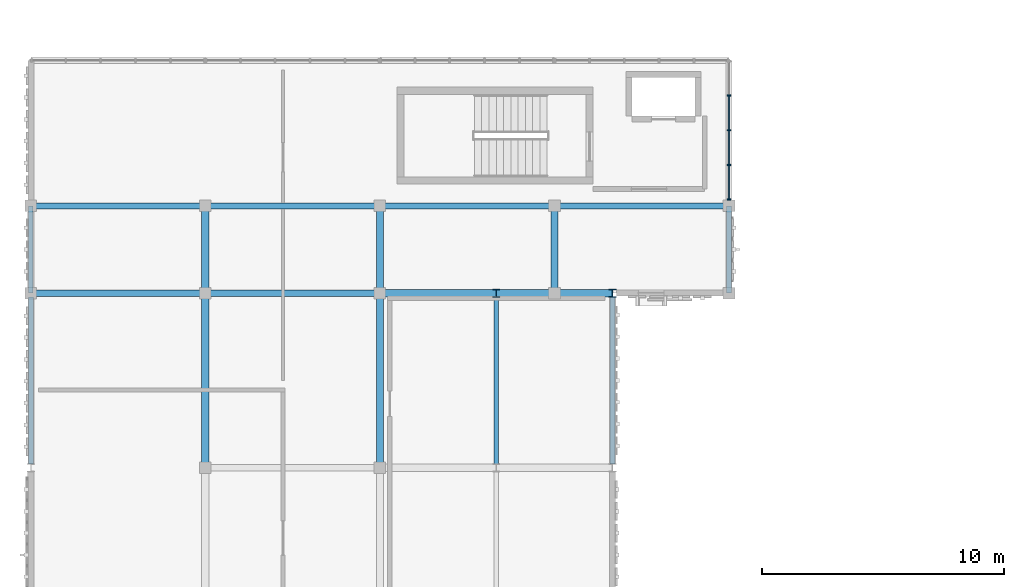
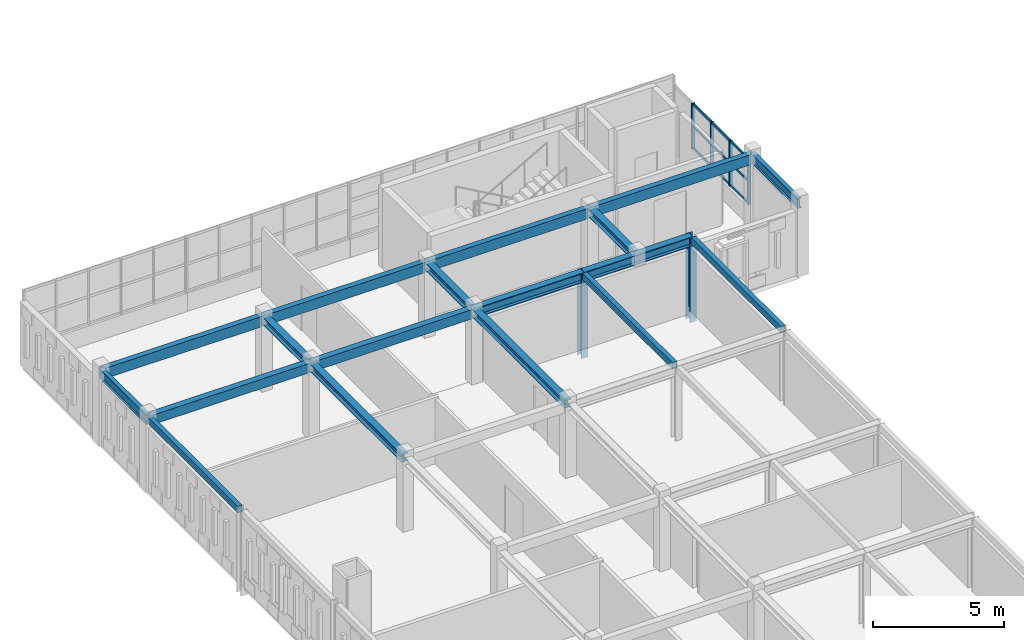
# One storey, part 6 of 53: 17 beams, 15 members, 1 element without a shape of its own.
"""IFC4 building model written with IfcOpenShell, lengths in metres."""

from ifc_helpers import new_model, si_unit, direction, frame, origin, origin_2d, place, context, subcontext, project, spatial, rectangle, hollow_rectangle, i_section, extrude, material, material_profile, profile_set, type_object, element, aggregate, save


model = new_model("IFC4")

# Units and contexts
model_context = context("Model", 3, precision=1e-05, world=origin(), true_north=direction((0.0, 1.0)))
body_context = subcontext(model_context, "Body", "Model", "MODEL_VIEW")
ifc_project = project(units=[si_unit("LENGTHUNIT", "METRE"), si_unit("AREAUNIT", "SQUARE_METRE"), si_unit("VOLUMEUNIT", "CUBIC_METRE"), si_unit("PLANEANGLEUNIT", "RADIAN"), si_unit("MASSUNIT", "GRAM", prefix="KILO")], contexts=[model_context])

# Site, building, storey
site_placement = place(None, origin())
site = spatial("IfcSite", under=ifc_project, at=site_placement, CompositionType="ELEMENT")
building_placement = place(site_placement, origin())
building = spatial("IfcBuilding", under=site, at=building_placement, Name="Nzembalo Square Collegiate School", CompositionType="ELEMENT")
storey_placement = place(building_placement, frame((0.0, 0.0, 13.60009765625)))
storey = spatial("IfcBuildingStorey", under=building, at=storey_placement, Name="L03", CompositionType="ELEMENT", Elevation=13.60009765625)

# Beams
ifc_material_1 = material(Name="Steel S355", Category="steel")
ifc_material_profile_1 = material_profile(ifc_material_1, i_section(OverallWidth=0.300048828125, OverallDepth=0.449951171875, WebThickness=0.013916015625, FlangeThickness=0.02587890625, at=origin_2d()), Name="HEB 450")
ifc_profile_set_1 = profile_set([ifc_material_profile_1], Name="Steel S355")
beam_type_1 = type_object("IfcBeamType", Name="B08", PredefinedType="BEAM", material=ifc_profile_set_1)
beam_1_placement = place(storey_placement, frame((22.800048828125, 79.199951171875, 3.22998046875), z_axis=(1.0, 0.0, 0.0), x_axis=(0.0, 1.0, 0.0)))
element("IfcBeam", 1, at=beam_1_placement, inside=storey, type_object=beam_type_1, Name="Cantilever girder B08 4A L03", PredefinedType="BEAM", context=body_context, shape_type="SweptSolid", body=[
    extrude(i_section(OverallWidth=0.300048828125, OverallDepth=0.449951171875, WebThickness=0.013916015625, FlangeThickness=0.02587890625, at=origin_2d()), origin(), (0.0, 0.0, 1.0), 9.599853515625),
])
ifc_material_2 = material(Name="Steel S355", Category="steel")
ifc_material_profile_2 = material_profile(ifc_material_2, i_section(OverallWidth=0.18994140625, OverallDepth=0.449951171875, WebThickness=0.009521484375, FlangeThickness=0.0146484375, at=origin_2d()), Name="IPE 450")
ifc_profile_set_2 = profile_set([ifc_material_profile_2], Name="Steel S355")
beam_type_2 = type_object("IfcBeamType", Name="B09", PredefinedType="BEAM", material=ifc_profile_set_2)
for number, where, z_axis, x_axis, name in (
    (2, (8.39990234375, 79.199951171875, 3.22998046875), (0.0, 1.0, 0.0), (-1.0, 0.0, 0.0), "Beam B09 L03"),
    (3, (37.199951171875, 79.199951171875, 3.22998046875), (0.0, 1.0, 0.0), (-1.0, 0.0, 0.0), "Beam B09 L03"),
):
    element("IfcBeam", number, at=place(storey_placement, frame(where, z_axis=z_axis, x_axis=x_axis)), inside=storey, type_object=beam_type_2, Name=name, PredefinedType="BEAM", context=body_context, shape_type="SweptSolid", body=[
        extrude(i_section(OverallWidth=0.18994140625, OverallDepth=0.449951171875, WebThickness=0.009521484375, FlangeThickness=0.0146484375, at=origin_2d()), origin(), (0.0, 0.0, 1.0), 3.60009765625),
    ])
ifc_material_3 = material(Name="Steel S355", Category="steel")
ifc_material_profile_3 = material_profile(ifc_material_3, i_section(OverallWidth=0.300048828125, OverallDepth=0.35009765625, WebThickness=0.010009765625, FlangeThickness=0.017578125, at=origin_2d()), Name="HEA 360")
ifc_profile_set_3 = profile_set([ifc_material_profile_3], Name="Steel S355")
beam_type_3 = type_object("IfcBeamType", Name="B12", PredefinedType="BEAM", material=ifc_profile_set_3)
beam_2_placement = place(storey_placement, frame((15.60009765625, 72.0, 3.27978515625), z_axis=(0.0, 1.0, 0.0), x_axis=(-1.0, 0.0, 0.0)))
element("IfcBeam", 4, at=beam_2_placement, inside=storey, type_object=beam_type_3, Name="Beam B12 L03", PredefinedType="BEAM", context=body_context, shape_type="SweptSolid", body=[
    extrude(i_section(OverallWidth=0.300048828125, OverallDepth=0.35009765625, WebThickness=0.010009765625, FlangeThickness=0.017578125, at=origin_2d()), origin(), (0.0, 0.0, 1.0), 7.199951171875),
])
beam_3_placement = place(storey_placement, frame((15.60009765625, 79.199951171875, 3.27978515625), z_axis=(0.0, 1.0, 0.0), x_axis=(-1.0, 0.0, 0.0)))
element("IfcBeam", 5, at=beam_3_placement, inside=storey, type_object=beam_type_3, Name="Beam B12 L03", PredefinedType="BEAM", context=body_context, shape_type="SweptSolid", body=[
    extrude(i_section(OverallWidth=0.300048828125, OverallDepth=0.35009765625, WebThickness=0.010009765625, FlangeThickness=0.017578125, at=origin_2d()), origin(), (0.0, 0.0, 1.0), 3.60009765625),
])
beam_4_placement = place(storey_placement, frame((22.800048828125, 72.0, 3.27978515625), z_axis=(0.0, 1.0, 0.0), x_axis=(-1.0, 0.0, 0.0)))
element("IfcBeam", 6, at=beam_4_placement, inside=storey, type_object=beam_type_3, Name="Beam B12 L03", PredefinedType="BEAM", context=body_context, shape_type="SweptSolid", body=[
    extrude(i_section(OverallWidth=0.300048828125, OverallDepth=0.35009765625, WebThickness=0.010009765625, FlangeThickness=0.017578125, at=origin_2d()), origin(), (0.0, 0.0, 1.0), 7.199951171875),
])
for number, where, z_axis, x_axis, name in (
    (7, (22.800048828125, 79.199951171875, 3.27978515625), (0.0, 1.0, 0.0), (-1.0, 0.0, 0.0), "Beam B12 L03"),
    (8, (30.0, 79.199951171875, 3.27978515625), (0.0, 1.0, 0.0), (-1.0, 0.0, 0.0), "Beam B12 L03"),
):
    element("IfcBeam", number, at=place(storey_placement, frame(where, z_axis=z_axis, x_axis=x_axis)), inside=storey, type_object=beam_type_3, Name=name, PredefinedType="BEAM", context=body_context, shape_type="SweptSolid", body=[
        extrude(i_section(OverallWidth=0.300048828125, OverallDepth=0.35009765625, WebThickness=0.010009765625, FlangeThickness=0.017578125, at=origin_2d()), origin(), (0.0, 0.0, 1.0), 3.60009765625),
    ])
ifc_material_4 = material(Name="Glulam GL32h", Category="wood")
ifc_material_profile_4 = material_profile(ifc_material_4, rectangle(XDim=0.280029296875, YDim=0.43994140625, at=origin_2d()), Name="GL32h 280x440")
ifc_profile_set_4 = profile_set([ifc_material_profile_4], Name="Glulam GL32h")
beam_type_4 = type_object("IfcBeamType", Name="B14", PredefinedType="BEAM", material=ifc_profile_set_4)
beam_5_placement = place(storey_placement, frame((8.39990234375, 79.199951171875, 3.23486328125), z_axis=(1.0, 0.0, 0.0), x_axis=(0.0, 1.0, 0.0)))
element("IfcBeam", 9, at=beam_5_placement, inside=storey, type_object=beam_type_4, Name="Beam B14 L03", PredefinedType="BEAM", context=body_context, shape_type="SweptSolid", body=[
    extrude(rectangle(XDim=0.280029296875, YDim=0.43994140625, at=origin_2d()), origin(), (0.0, 0.0, 1.0), 7.2001953125),
])
beam_6_placement = place(storey_placement, frame((15.60009765625, 79.199951171875, 3.23486328125), z_axis=(1.0, 0.0, 0.0), x_axis=(0.0, 1.0, 0.0)))
element("IfcBeam", 10, at=beam_6_placement, inside=storey, type_object=beam_type_4, Name="Beam B14 L03", PredefinedType="BEAM", context=body_context, shape_type="SweptSolid", body=[
    extrude(rectangle(XDim=0.280029296875, YDim=0.43994140625, at=origin_2d()), origin(), (0.0, 0.0, 1.0), 7.199951171875),
])
ifc_material_5 = material(Name="Glulam GL28h", Category="wood")
ifc_material_profile_5 = material_profile(ifc_material_5, rectangle(XDim=0.239990234375, YDim=0.47998046875, at=origin_2d()), Name="GL28h 240x480")
ifc_profile_set_5 = profile_set([ifc_material_profile_5], Name="Glulam GL28h")
beam_type_5 = type_object("IfcBeamType", Name="SP02", PredefinedType="SPANDREL", material=ifc_profile_set_5)
beam_7_placement = place(storey_placement, frame((8.39990234375, 82.800048828125, 3.21484375), z_axis=(1.0, 0.0, 0.0), x_axis=(0.0, 1.0, 0.0)))
element("IfcBeam", 11, at=beam_7_placement, inside=storey, type_object=beam_type_5, Name="Beam SP02 L03", PredefinedType="SPANDREL", context=body_context, shape_type="SweptSolid", body=[
    extrude(rectangle(XDim=0.239990234375, YDim=0.47998046875, at=origin_2d()), origin(), (0.0, 0.0, 1.0), 7.2001953125),
])
for number, where, z_axis, x_axis, name in (
    (12, (15.60009765625, 82.800048828125, 3.21484375), (1.0, 0.0, 0.0), (0.0, 1.0, 0.0), "Beam SP02 L03"),
    (13, (22.800048828125, 82.800048828125, 3.21484375), (1.0, 0.0, 0.0), (0.0, 1.0, 0.0), "Beam SP02 L03"),
    (14, (30.0, 82.800048828125, 3.21484375), (1.0, 0.0, 0.0), (0.0, 1.0, 0.0), "Beam SP02 L03"),
):
    element("IfcBeam", number, at=place(storey_placement, frame(where, z_axis=z_axis, x_axis=x_axis)), inside=storey, type_object=beam_type_5, Name=name, PredefinedType="SPANDREL", context=body_context, shape_type="SweptSolid", body=[
        extrude(rectangle(XDim=0.239990234375, YDim=0.47998046875, at=origin_2d()), origin(), (0.0, 0.0, 1.0), 7.199951171875),
    ])
ifc_material_6 = material(Name="Steel S355", Category="steel")
ifc_material_profile_6 = material_profile(ifc_material_6, hollow_rectangle(XDim=0.199951171875, YDim=0.300048828125, WallThickness=0.011962890625, at=origin_2d()), Name="RHS 300x200x12")
ifc_profile_set_6 = profile_set([ifc_material_profile_6], Name="Steel S355")
beam_type_6 = type_object("IfcBeamType", Name="SP03", PredefinedType="SPANDREL", material=ifc_profile_set_6)
for number, where, z_axis, x_axis, name in (
    (15, (8.39990234375, 72.14990234375, 3.304931640625), (0.0, 1.0, 0.0), (-1.0, 0.0, 0.0), "Cantilever edge beam SP03 4A L03"),
    (16, (32.39990234375, 72.14990234375, 3.304931640625), (0.0, 1.0, 0.0), (-1.0, 0.0, 0.0), "Cantilever edge beam SP03 4A L03"),
    (17, (27.60009765625, 72.14990234375, 3.304931640625), (0.0, 1.0, 0.0), (-1.0, 0.0, 0.0), "Cantilever edge beam SP03 4A L03"),
):
    element("IfcBeam", number, at=place(storey_placement, frame(where, z_axis=z_axis, x_axis=x_axis)), inside=storey, type_object=beam_type_6, Name=name, PredefinedType="SPANDREL", context=body_context, shape_type="SweptSolid", body=[
        extrude(hollow_rectangle(XDim=0.199951171875, YDim=0.300048828125, WallThickness=0.011962890625, at=origin_2d()), origin(), (0.0, 0.0, 1.0), 6.900146484375),
    ])

# Curtain wall, members
ifc_material_7 = material(Name="Aluminium 6060-T66", Category="aluminium")
curtain_wall_type = type_object("IfcCurtainWallType", Name="CW-03", PredefinedType="USERDEFINED", material=ifc_material_7)
curtain_wall_placement = place(storey_placement, origin())
curtain_wall = element("IfcCurtainWall", 18, at=curtain_wall_placement, inside=storey, type_object=curtain_wall_type, Name="Curtain wall CW-03 cw:L03:130", ObjectType="UNITISED", PredefinedType="USERDEFINED")
ifc_material_8 = material(Name="Aluminium 6060-T66", Category="aluminium")
ifc_material_profile_7 = material_profile(ifc_material_8, rectangle(XDim=0.06005859375, YDim=0.14990234375, at=origin_2d()), Name="ALU M60x150")
ifc_profile_set_7 = profile_set([ifc_material_profile_7], Name="Aluminium 6060-T66")
member_type_1 = type_object("IfcMemberType", Name="ML02", PredefinedType="MULLION", material=ifc_profile_set_7)
member_1_placement = place(storey_placement, frame((37.199951171875, 83.072021484375, 0.849853515625), z_axis=(0.0, 0.0, 1.0), x_axis=(0.0, 1.0, 0.0)))
member_1 = element("IfcMember", 19, at=member_1_placement, type_object=member_type_1, Name="ML02 mullion 1", PredefinedType="MULLION", context=body_context, shape_type="SweptSolid", body=[
    extrude(rectangle(XDim=0.06005859375, YDim=0.14990234375, at=origin_2d()), origin(), (0.0, 0.0, 1.0), 2.119140625),
])
member_2_placement = place(storey_placement, frame((37.199951171875, 84.4814453125, 0.849853515625), z_axis=(0.0, 0.0, 1.0), x_axis=(0.0, 1.0, 0.0)))
member_2 = element("IfcMember", 20, at=member_2_placement, type_object=member_type_1, Name="ML02 mullion 2", PredefinedType="MULLION", context=body_context, shape_type="SweptSolid", body=[
    extrude(rectangle(XDim=0.06005859375, YDim=0.14990234375, at=origin_2d()), origin(), (0.0, 0.0, 1.0), 2.119140625),
])
member_3_placement = place(storey_placement, frame((37.199951171875, 85.9208984375, 0.849853515625), z_axis=(0.0, 0.0, 1.0), x_axis=(0.0, 1.0, 0.0)))
member_3 = element("IfcMember", 21, at=member_3_placement, type_object=member_type_1, Name="ML02 mullion 3", PredefinedType="MULLION", context=body_context, shape_type="SweptSolid", body=[
    extrude(rectangle(XDim=0.06005859375, YDim=0.14990234375, at=origin_2d()), origin(), (0.0, 0.0, 1.0), 2.119140625),
])
member_4_placement = place(storey_placement, frame((37.199951171875, 87.360595703125, 0.849853515625), z_axis=(0.0, 0.0, 1.0), x_axis=(0.0, 1.0, 0.0)))
member_4 = element("IfcMember", 22, at=member_4_placement, type_object=member_type_1, Name="ML02 mullion 4", PredefinedType="MULLION", context=body_context, shape_type="SweptSolid", body=[
    extrude(rectangle(XDim=0.06005859375, YDim=0.14990234375, at=origin_2d()), origin(), (0.0, 0.0, 1.0), 2.119140625),
])
ifc_material_9 = material(Name="Aluminium 6060-T66", Category="aluminium")
ifc_material_profile_8 = material_profile(ifc_material_9, rectangle(XDim=0.06005859375, YDim=0.110107421875, at=origin_2d()), Name="ALU T60x110")
ifc_profile_set_8 = profile_set([ifc_material_profile_8], Name="Aluminium 6060-T66")
member_type_2 = type_object("IfcMemberType", Name="TR02", PredefinedType="USERDEFINED", material=ifc_profile_set_8)
member_5_placement = place(storey_placement, frame((37.199951171875, 83.10205078125, 0.8798828125), z_axis=(0.0, 1.0, 0.0), x_axis=(-1.0, 0.0, 0.0)))
member_5 = element("IfcMember", 23, at=member_5_placement, type_object=member_type_2, Name="TR02 transom 1-1", ObjectType="TRANSOM", PredefinedType="USERDEFINED", context=body_context, shape_type="SweptSolid", body=[
    extrude(rectangle(XDim=0.06005859375, YDim=0.110107421875, at=origin_2d()), origin(), (0.0, 0.0, 1.0), 1.349365234375),
])
member_6_placement = place(storey_placement, frame((37.199951171875, 84.511474609375, 0.8798828125), z_axis=(0.0, 1.0, 0.0), x_axis=(-1.0, 0.0, 0.0)))
member_6 = element("IfcMember", 24, at=member_6_placement, type_object=member_type_2, Name="TR02 transom 1-2", ObjectType="TRANSOM", PredefinedType="USERDEFINED", context=body_context, shape_type="SweptSolid", body=[
    extrude(rectangle(XDim=0.06005859375, YDim=0.110107421875, at=origin_2d()), origin(), (0.0, 0.0, 1.0), 1.379638671875),
])
member_7_placement = place(storey_placement, frame((37.199951171875, 85.950927734375, 0.8798828125), z_axis=(0.0, 1.0, 0.0), x_axis=(-1.0, 0.0, 0.0)))
member_7 = element("IfcMember", 25, at=member_7_placement, type_object=member_type_2, Name="TR02 transom 1-3", ObjectType="TRANSOM", PredefinedType="USERDEFINED", context=body_context, shape_type="SweptSolid", body=[
    extrude(rectangle(XDim=0.06005859375, YDim=0.110107421875, at=origin_2d()), origin(), (0.0, 0.0, 1.0), 1.379638671875),
])
member_8_placement = place(storey_placement, frame((37.199951171875, 83.10205078125, 1.909423828125), z_axis=(0.0, 1.0, 0.0), x_axis=(-1.0, 0.0, 0.0)))
member_8 = element("IfcMember", 26, at=member_8_placement, type_object=member_type_2, Name="TR02 transom 2-1", ObjectType="TRANSOM", PredefinedType="USERDEFINED", context=body_context, shape_type="SweptSolid", body=[
    extrude(rectangle(XDim=0.06005859375, YDim=0.110107421875, at=origin_2d()), origin(), (0.0, 0.0, 1.0), 1.349365234375),
])
member_9_placement = place(storey_placement, frame((37.199951171875, 84.511474609375, 1.909423828125), z_axis=(0.0, 1.0, 0.0), x_axis=(-1.0, 0.0, 0.0)))
member_9 = element("IfcMember", 27, at=member_9_placement, type_object=member_type_2, Name="TR02 transom 2-2", ObjectType="TRANSOM", PredefinedType="USERDEFINED", context=body_context, shape_type="SweptSolid", body=[
    extrude(rectangle(XDim=0.06005859375, YDim=0.110107421875, at=origin_2d()), origin(), (0.0, 0.0, 1.0), 1.379638671875),
])
member_10_placement = place(storey_placement, frame((37.199951171875, 85.950927734375, 1.909423828125), z_axis=(0.0, 1.0, 0.0), x_axis=(-1.0, 0.0, 0.0)))
member_10 = element("IfcMember", 28, at=member_10_placement, type_object=member_type_2, Name="TR02 transom 2-3", ObjectType="TRANSOM", PredefinedType="USERDEFINED", context=body_context, shape_type="SweptSolid", body=[
    extrude(rectangle(XDim=0.06005859375, YDim=0.110107421875, at=origin_2d()), origin(), (0.0, 0.0, 1.0), 1.379638671875),
])
member_11_placement = place(storey_placement, frame((37.199951171875, 83.10205078125, 2.93896484375), z_axis=(0.0, 1.0, 0.0), x_axis=(-1.0, 0.0, 0.0)))
member_11 = element("IfcMember", 29, at=member_11_placement, type_object=member_type_2, Name="TR02 transom 3-1", ObjectType="TRANSOM", PredefinedType="USERDEFINED", context=body_context, shape_type="SweptSolid", body=[
    extrude(rectangle(XDim=0.06005859375, YDim=0.110107421875, at=origin_2d()), origin(), (0.0, 0.0, 1.0), 1.349365234375),
])
member_12_placement = place(storey_placement, frame((37.199951171875, 84.511474609375, 2.93896484375), z_axis=(0.0, 1.0, 0.0), x_axis=(-1.0, 0.0, 0.0)))
member_12 = element("IfcMember", 30, at=member_12_placement, type_object=member_type_2, Name="TR02 transom 3-2", ObjectType="TRANSOM", PredefinedType="USERDEFINED", context=body_context, shape_type="SweptSolid", body=[
    extrude(rectangle(XDim=0.06005859375, YDim=0.110107421875, at=origin_2d()), origin(), (0.0, 0.0, 1.0), 1.379638671875),
])
member_13_placement = place(storey_placement, frame((37.199951171875, 85.950927734375, 2.93896484375), z_axis=(0.0, 1.0, 0.0), x_axis=(-1.0, 0.0, 0.0)))
member_13 = element("IfcMember", 31, at=member_13_placement, type_object=member_type_2, Name="TR02 transom 3-3", ObjectType="TRANSOM", PredefinedType="USERDEFINED", context=body_context, shape_type="SweptSolid", body=[
    extrude(rectangle(XDim=0.06005859375, YDim=0.110107421875, at=origin_2d()), origin(), (0.0, 0.0, 1.0), 1.379638671875),
])
aggregate(curtain_wall, [member_1, member_2, member_3, member_4, member_5, member_6, member_7, member_8, member_9, member_10, member_11, member_12, member_13])

# Members
ifc_material_10 = material(Name="Steel S355", Category="steel")
ifc_material_profile_9 = material_profile(ifc_material_10, i_section(OverallWidth=0.300048828125, OverallDepth=0.340087890625, WebThickness=0.011962890625, FlangeThickness=0.021484375, at=origin_2d()), Name="HEB 340")
ifc_profile_set_9 = profile_set([ifc_material_profile_9], Name="Steel S355")
member_type_3 = type_object("IfcMemberType", Name="TP03", PredefinedType="POST", material=ifc_profile_set_9)
for number, where, z_axis, x_axis, name in (
    (32, (27.60009765625, 79.199951171875, -0.52001953125), (0.0, 0.0, 1.0), (1.0, 0.0, 0.0), "TT-4A-05 upper pavilion post L03-3"),
    (33, (32.39990234375, 79.199951171875, -0.52001953125), (0.0, 0.0, 1.0), (1.0, 0.0, 0.0), "TT-4A-05 upper pavilion post L03-4"),
):
    element("IfcMember", number, at=place(storey_placement, frame(where, z_axis=z_axis, x_axis=x_axis)), inside=storey, type_object=member_type_3, Name=name, PredefinedType="POST", context=body_context, shape_type="SweptSolid", body=[
        extrude(i_section(OverallWidth=0.300048828125, OverallDepth=0.340087890625, WebThickness=0.011962890625, FlangeThickness=0.021484375, at=origin_2d()), origin(), (0.0, 0.0, 1.0), 3.974853515625),
    ])

save(model, "model.ifc")
